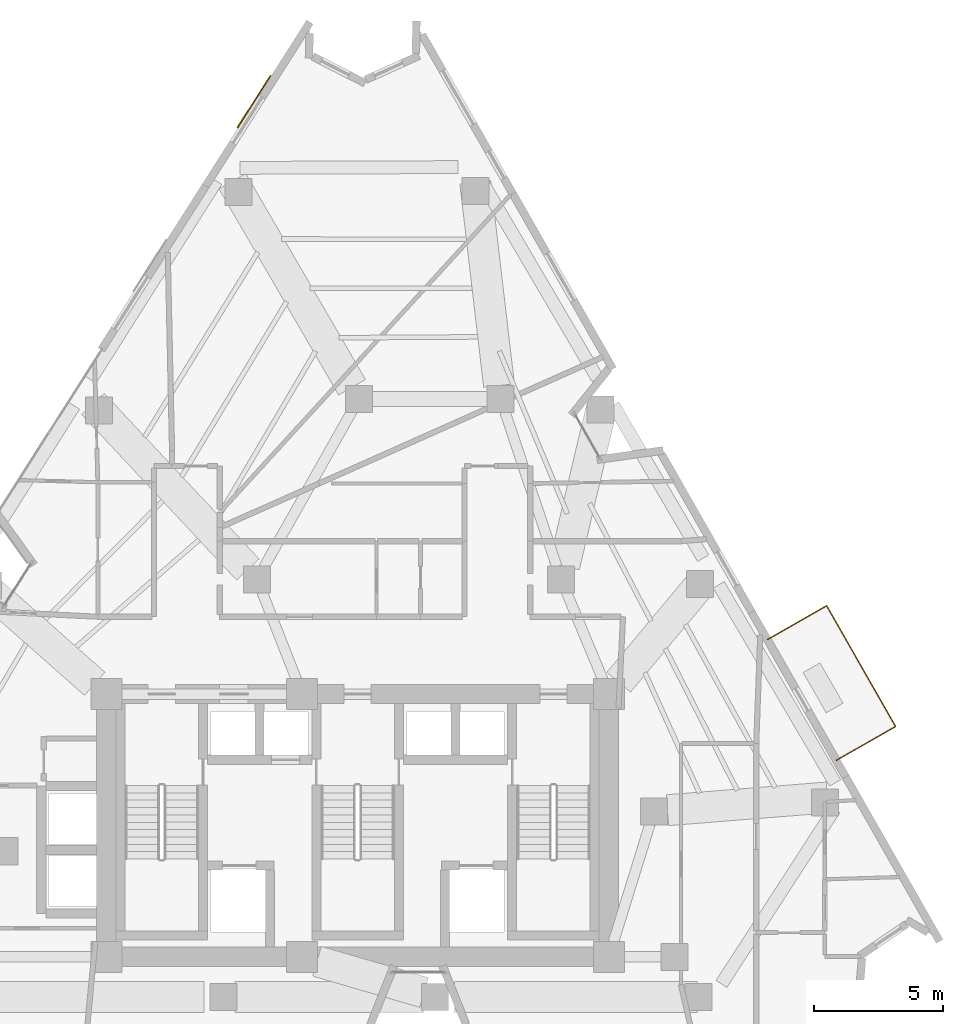
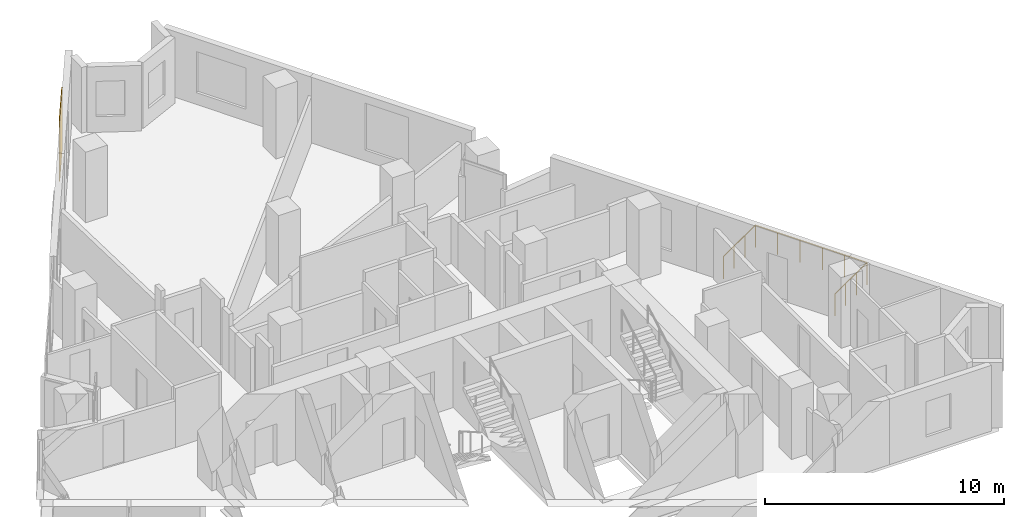
# One storey, part 12 of 12: 1 covering, 1 railing.
"""IFC4 building model written with IfcOpenShell, lengths in metres."""

from ifc_helpers import new_model, si_unit, direction, frame, origin, origin_2d, place, context, subcontext, project, spatial, rectangle, circle, extrude, material, layer, layer_set, type_object, element, save


model = new_model("IFC4")

# Units and contexts
model_context = context("Model", 3, precision=1e-05, world=origin(), true_north=direction((0.0, 1.0)))
body_context = subcontext(model_context, "Body", "Model", "MODEL_VIEW")
ifc_project = project(units=[si_unit("LENGTHUNIT", "METRE"), si_unit("AREAUNIT", "SQUARE_METRE"), si_unit("VOLUMEUNIT", "CUBIC_METRE"), si_unit("PLANEANGLEUNIT", "RADIAN"), si_unit("MASSUNIT", "GRAM", prefix="KILO")], contexts=[model_context])

# Site, building, storey
site_placement = place(None, origin())
site = spatial("IfcSite", under=ifc_project, at=site_placement, CompositionType="ELEMENT")
building_placement = place(site_placement, origin())
building = spatial("IfcBuilding", under=site, at=building_placement, Name="Almagre Mirador Tower", CompositionType="ELEMENT")
storey_placement = place(building_placement, frame((0.0, 0.0, 132.0)))
storey = spatial("IfcBuildingStorey", under=building, at=storey_placement, Name="L33", CompositionType="ELEMENT", Elevation=132.0)

# Covering
ifc_material_1 = material(Name="Almagre terracotta architectural cladding", Category="masonry")
ifc_layer = layer(ifc_material_1, 0.044921875)
ifc_layer_set = layer_set([ifc_layer], Name="Almagre terracotta architectural cladding")
covering_type = type_object("IfcCoveringType", Name="COV-CLAD-ALMAGRE", PredefinedType="CLADDING", material=ifc_layer_set)
covering_placement = place(storey_placement, frame((33.281005859375, 37.7392578125, 0.10009765625), z_axis=(0.0, 0.0, 1.0), x_axis=(0.537122957072, 0.843503959081, 0.0)))
element("IfcCovering", 1, at=covering_placement, inside=storey, type_object=covering_type, Name="L33 almagre terracotta pier cladding", PredefinedType="CLADDING", context=body_context, shape_type="SweptSolid", body=[
    extrude(rectangle(XDim=2.39990234375, YDim=0.044921875, at=origin_2d()), origin(), (0.0, 0.0, 1.0), 3.14990234375),
])

# Railing
ifc_material_2 = material(Name="Black anodized aluminium", Category="aluminium")
railing_type = type_object("IfcRailingType", Name="RLG-BAL-1150", PredefinedType="BALUSTRADE", material=ifc_material_2)
railing_placement = place(storey_placement, frame((55.8779296875, 12.175048828125, 0.0)))
element("IfcRailing", 2, at=railing_placement, inside=storey, type_object=railing_type, Name="L33 east balcony balustrade 2", PredefinedType="BALUSTRADE", context=body_context, shape_type="SweptSolid", body=[
    extrude(circle(Radius=0.02392578125, at=origin_2d()), frame((0.0, 0.0, 1.1259765625), z_axis=(0.868481104495, 0.495722272181, 0.0), x_axis=(-0.495722272181, 0.868481104495, 0.0)), (0.0, 0.0, 1.0), 2.650634765625),
    extrude(circle(Radius=0.02392578125, at=origin_2d()), frame((2.302001953125, 1.31396484375, 1.1259765625), z_axis=(-0.495725038793, 0.868479525328, 0.0), x_axis=(-0.868479525328, -0.495725038793, 0.0)), (0.0, 0.0, 1.0), 5.400146484375),
    extrude(circle(Radius=0.02392578125, at=origin_2d()), frame((-0.375, 6.00390625, 1.1259765625), z_axis=(-0.868390522878, -0.495880933064, 0.0), x_axis=(0.495880933064, -0.868390522878, 0.0)), (0.0, 0.0, 1.0), 2.649658203125),
    extrude(circle(Radius=0.02099609375, at=origin_2d()), origin(), (0.0, 0.0, 1.0), 1.101806640625),
    extrude(circle(Radius=0.02099609375, at=origin_2d()), frame((0.767333984375, 0.43798828125, 0.0)), (0.0, 0.0, 1.0), 1.101806640625),
    extrude(circle(Radius=0.02099609375, at=origin_2d()), frame((1.53466796875, 0.8759765625, 0.0)), (0.0, 0.0, 1.0), 1.101806640625),
    extrude(circle(Radius=0.02099609375, at=origin_2d()), frame((2.302001953125, 1.31396484375, 0.0)), (0.0, 0.0, 1.0), 1.101806640625),
    extrude(circle(Radius=0.02099609375, at=origin_2d()), frame((1.7666015625, 2.251953125, 0.0)), (0.0, 0.0, 1.0), 1.101806640625),
    extrude(circle(Radius=0.02099609375, at=origin_2d()), frame((1.231201171875, 3.18994140625, 0.0)), (0.0, 0.0, 1.0), 1.101806640625),
    extrude(circle(Radius=0.02099609375, at=origin_2d()), frame((0.69580078125, 4.1279296875, 0.0)), (0.0, 0.0, 1.0), 1.101806640625),
    extrude(circle(Radius=0.02099609375, at=origin_2d()), frame((0.160400390625, 5.06591796875, 0.0)), (0.0, 0.0, 1.0), 1.101806640625),
    extrude(circle(Radius=0.02099609375, at=origin_2d()), frame((-0.375, 6.00390625, 0.0)), (0.0, 0.0, 1.0), 1.101806640625),
    extrude(circle(Radius=0.02099609375, at=origin_2d()), frame((-1.14208984375, 5.56591796875, 0.0)), (0.0, 0.0, 1.0), 1.101806640625),
    extrude(circle(Radius=0.02099609375, at=origin_2d()), frame((-1.908935546875, 5.1279296875, 0.0)), (0.0, 0.0, 1.0), 1.101806640625),
    extrude(circle(Radius=0.02099609375, at=origin_2d()), frame((-2.676025390625, 4.68994140625, 0.0)), (0.0, 0.0, 1.0), 1.101806640625),
])

save(model, "model.ifc")
